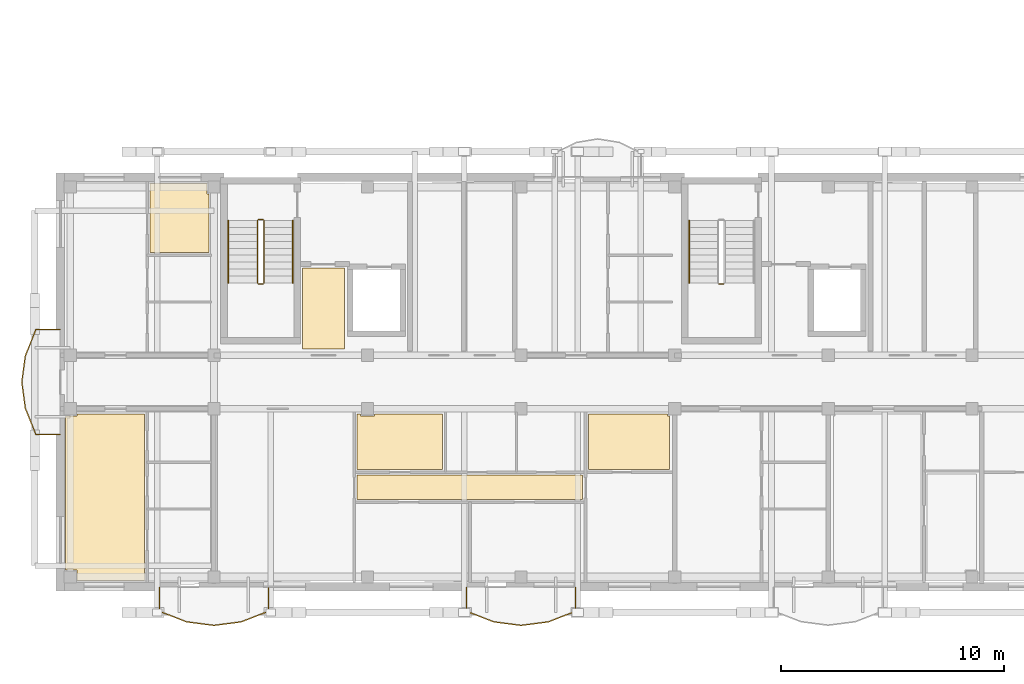
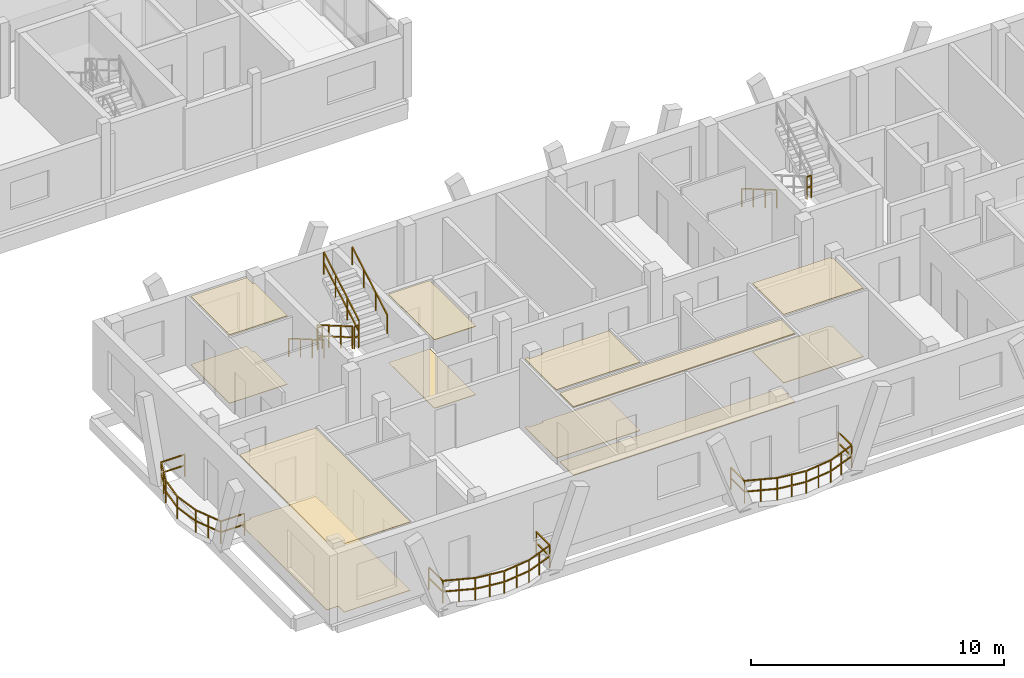
# One storey, part 169 of 189: 12 coverings, 11 railings.
"""IFC4 building model written with IfcOpenShell, lengths in metres."""

from ifc_helpers import new_model, si_unit, direction, frame, origin, origin_2d, place, context, subcontext, project, spatial, polyline, rectangle, outline, extrude, material, layer, layer_set, type_object, element, save


model = new_model("IFC4")

# Units and contexts
model_context = context("Model", 3, precision=1e-05, world=origin(), true_north=direction((0.0, 1.0)))
body_context = subcontext(model_context, "Body", "Model", "MODEL_VIEW")
ifc_project = project(units=[si_unit("LENGTHUNIT", "METRE"), si_unit("AREAUNIT", "SQUARE_METRE"), si_unit("VOLUMEUNIT", "CUBIC_METRE"), si_unit("PLANEANGLEUNIT", "RADIAN"), si_unit("MASSUNIT", "GRAM", prefix="KILO")], contexts=[model_context])

# Site, building, storey
site_placement = place(None, origin())
site = spatial("IfcSite", under=ifc_project, at=site_placement, CompositionType="ELEMENT")
building_placement = place(site_placement, origin())
building = spatial("IfcBuilding", under=site, at=building_placement, Name="Zavelmont Quarter", CompositionType="ELEMENT")
storey_placement = place(building_placement, frame((0.0, 0.0, 4.39990234375)))
storey = spatial("IfcBuildingStorey", under=building, at=storey_placement, Name="L01", CompositionType="ELEMENT", Elevation=4.39990234375)

# Coverings
ifc_material_1 = material(Name="Perforated acoustic gypsum board")
ifc_layer_1 = layer(ifc_material_1, 0.02490234375)
ifc_layer_set_1 = layer_set([ifc_layer_1], Name="Perforated acoustic gypsum board")
covering_type_1 = type_object("IfcCoveringType", Name="CV-CL01", PredefinedType="CEILING", material=ifc_layer_set_1)
covering_1_placement = place(storey_placement, frame((0.0, 0.0, 3.30517578125)))
element("IfcCovering", 1, at=covering_1_placement, inside=storey, type_object=covering_type_1, Name="L01 Lobby Vestibule acoustic ceiling", PredefinedType="CEILING", context=body_context, shape_type="SweptSolid", body=[
    extrude(outline(polyline([(10.8798828125, 14.320068359375), (12.77001953125, 14.320068359375), (12.77001953125, 10.679931640625), (10.8798828125, 10.679931640625), (10.8798828125, 14.320068359375)])), origin(), (0.0, 0.0, 1.0), 0.02490234375),
])
covering_2_placement = place(storey_placement, frame((0.0, 0.0, 3.30517578125)))
element("IfcCovering", 2, at=covering_2_placement, inside=storey, type_object=covering_type_1, Name="L01 Living Dining acoustic ceiling", PredefinedType="CEILING", context=body_context, shape_type="SweptSolid", body=[
    extrude(outline(polyline([(0.22998046875, 7.68505859375), (0.7548828125, 7.68505859375), (0.7548828125, 7.77001953125), (3.77001953125, 7.77001953125), (3.77001953125, 0.280029296875), (0.7548828125, 0.280029296875), (0.7548828125, 0.7548828125), (0.22998046875, 0.7548828125), (0.22998046875, 7.68505859375)])), origin(), (0.0, 0.0, 1.0), 0.02490234375),
])
covering_3_placement = place(storey_placement, frame((0.0, 0.0, 3.30517578125)))
element("IfcCovering", 3, at=covering_3_placement, inside=storey, type_object=covering_type_1, Name="L01 Kitchen acoustic ceiling", PredefinedType="CEILING", context=body_context, shape_type="SweptSolid", body=[
    extrude(outline(polyline([(13.330078125, 7.77001953125), (13.485107421875, 7.77001953125), (13.485107421875, 7.68505859375), (14.114990234375, 7.68505859375), (14.114990234375, 7.77001953125), (17.169921875, 7.77001953125), (17.169921875, 5.280029296875), (13.330078125, 5.280029296875), (13.330078125, 7.77001953125)])), origin(), (0.0, 0.0, 1.0), 0.02490234375),
])
covering_4_placement = place(storey_placement, frame((0.0, 0.0, 3.30517578125)))
element("IfcCovering", 4, at=covering_4_placement, inside=storey, type_object=covering_type_1, Name="L01 Single Bedroom acoustic ceiling", PredefinedType="CEILING", context=body_context, shape_type="SweptSolid", body=[
    extrude(outline(polyline([(4.030029296875, 18.1201171875), (6.5849609375, 18.1201171875), (6.5849609375, 17.64501953125), (6.669921875, 17.64501953125), (6.669921875, 15.030029296875), (4.030029296875, 15.030029296875), (4.030029296875, 18.1201171875)])), origin(), (0.0, 0.0, 1.0), 0.02490234375),
])
ifc_material_2 = material(Name="Slatted European ash acoustic baffle ceiling")
ifc_layer_2 = layer(ifc_material_2, 0.0400390625)
ifc_layer_set_2 = layer_set([ifc_layer_2], Name="Slatted European ash acoustic baffle ceiling")
covering_type_2 = type_object("IfcCoveringType", Name="CV-CL02", PredefinedType="CEILING", material=ifc_layer_set_2)
covering_5_placement = place(storey_placement, frame((0.0, 0.0, 3.2900390625)))
element("IfcCovering", 5, at=covering_5_placement, inside=storey, type_object=covering_type_2, Name="L01 Apartment Hall acoustic ceiling", PredefinedType="CEILING", context=body_context, shape_type="SweptSolid", body=[
    extrude(outline(polyline([(13.330078125, 5.02001953125), (23.469970703125, 5.02001953125), (23.469970703125, 3.929931640625), (13.330078125, 3.929931640625), (13.330078125, 5.02001953125)])), origin(), (0.0, 0.0, 1.0), 0.0400390625),
])
ifc_material_3 = material(Name="Moisture-resistant painted gypsum ceiling")
ifc_layer_3 = layer(ifc_material_3, 0.02001953125)
ifc_layer_set_3 = layer_set([ifc_layer_3], Name="Moisture-resistant painted gypsum ceiling")
covering_type_3 = type_object("IfcCoveringType", Name="CV-CL04", PredefinedType="CEILING", material=ifc_layer_set_3)
covering_6_placement = place(storey_placement, frame((0.0, 0.0, 3.31005859375)))
element("IfcCovering", 6, at=covering_6_placement, inside=storey, type_object=covering_type_3, Name="L01 Bathroom acoustic ceiling", PredefinedType="CEILING", context=body_context, shape_type="SweptSolid", body=[
    extrude(outline(polyline([(23.72998046875, 7.77001953125), (27.284912109375, 7.77001953125), (27.284912109375, 7.68505859375), (27.3701171875, 7.68505859375), (27.3701171875, 5.280029296875), (23.72998046875, 5.280029296875), (23.72998046875, 7.77001953125)])), origin(), (0.0, 0.0, 1.0), 0.02001953125),
])
ifc_material_4 = material(Name="Engineered European oak parquet")
ifc_layer_4 = layer(ifc_material_4, 0.02197265625)
ifc_layer_set_4 = layer_set([ifc_layer_4], Name="Engineered European oak parquet")
covering_type_4 = type_object("IfcCoveringType", Name="CV-FL01", PredefinedType="FLOORING", material=ifc_layer_set_4)
covering_7_placement = place(storey_placement, origin())
element("IfcCovering", 7, at=covering_7_placement, inside=storey, type_object=covering_type_4, Name="L01 Lobby Vestibule floor finish", PredefinedType="FLOORING", context=body_context, shape_type="SweptSolid", body=[
    extrude(outline(polyline([(10.8798828125, 14.320068359375), (12.77001953125, 14.320068359375), (12.77001953125, 10.679931640625), (10.8798828125, 10.679931640625), (10.8798828125, 14.320068359375)])), origin(), (0.0, 0.0, 1.0), 0.022216796875),
])
covering_8_placement = place(storey_placement, origin())
element("IfcCovering", 8, at=covering_8_placement, inside=storey, type_object=covering_type_4, Name="L01 Living Dining floor finish", PredefinedType="FLOORING", context=body_context, shape_type="SweptSolid", body=[
    extrude(outline(polyline([(0.22998046875, 7.68505859375), (0.7548828125, 7.68505859375), (0.7548828125, 7.77001953125), (3.77001953125, 7.77001953125), (3.77001953125, 0.280029296875), (0.7548828125, 0.280029296875), (0.7548828125, 0.7548828125), (0.22998046875, 0.7548828125), (0.22998046875, 7.68505859375)])), origin(), (0.0, 0.0, 1.0), 0.022216796875),
])
covering_9_placement = place(storey_placement, origin())
element("IfcCovering", 9, at=covering_9_placement, inside=storey, type_object=covering_type_4, Name="L01 Kitchen floor finish", PredefinedType="FLOORING", context=body_context, shape_type="SweptSolid", body=[
    extrude(outline(polyline([(13.330078125, 7.77001953125), (13.485107421875, 7.77001953125), (13.485107421875, 7.68505859375), (14.114990234375, 7.68505859375), (14.114990234375, 7.77001953125), (17.169921875, 7.77001953125), (17.169921875, 5.280029296875), (13.330078125, 5.280029296875), (13.330078125, 7.77001953125)])), origin(), (0.0, 0.0, 1.0), 0.022216796875),
])
covering_10_placement = place(storey_placement, origin())
element("IfcCovering", 10, at=covering_10_placement, inside=storey, type_object=covering_type_4, Name="L01 Single Bedroom floor finish", PredefinedType="FLOORING", context=body_context, shape_type="SweptSolid", body=[
    extrude(outline(polyline([(4.030029296875, 18.1201171875), (6.5849609375, 18.1201171875), (6.5849609375, 17.64501953125), (6.669921875, 17.64501953125), (6.669921875, 15.030029296875), (4.030029296875, 15.030029296875), (4.030029296875, 18.1201171875)])), origin(), (0.0, 0.0, 1.0), 0.022216796875),
])
ifc_material_5 = material(Name="Honed Belgian bluestone tile", Category="masonry")
ifc_layer_5 = layer(ifc_material_5, 0.030029296875)
ifc_layer_set_5 = layer_set([ifc_layer_5], Name="Honed Belgian bluestone tile")
covering_type_5 = type_object("IfcCoveringType", Name="CV-FL02", PredefinedType="FLOORING", material=ifc_layer_set_5)
covering_11_placement = place(storey_placement, origin())
element("IfcCovering", 11, at=covering_11_placement, inside=storey, type_object=covering_type_5, Name="L01 Apartment Hall floor finish", PredefinedType="FLOORING", context=body_context, shape_type="SweptSolid", body=[
    extrude(outline(polyline([(13.330078125, 5.02001953125), (23.469970703125, 5.02001953125), (23.469970703125, 3.929931640625), (13.330078125, 3.929931640625), (13.330078125, 5.02001953125)])), origin(), (0.0, 0.0, 1.0), 0.030029296875),
])
ifc_material_6 = material(Name="Slip-resistant porcelain tile")
ifc_layer_6 = layer(ifc_material_6, 0.02587890625)
ifc_layer_set_6 = layer_set([ifc_layer_6], Name="Slip-resistant porcelain tile")
covering_type_6 = type_object("IfcCoveringType", Name="CV-FL04", PredefinedType="FLOORING", material=ifc_layer_set_6)
covering_12_placement = place(storey_placement, origin())
element("IfcCovering", 12, at=covering_12_placement, inside=storey, type_object=covering_type_6, Name="L01 Bathroom floor finish", PredefinedType="FLOORING", context=body_context, shape_type="SweptSolid", body=[
    extrude(outline(polyline([(23.72998046875, 7.77001953125), (27.284912109375, 7.77001953125), (27.284912109375, 7.68505859375), (27.3701171875, 7.68505859375), (27.3701171875, 5.280029296875), (23.72998046875, 5.280029296875), (23.72998046875, 7.77001953125)])), origin(), (0.0, 0.0, 1.0), 0.026123046875),
])

# Railings
ifc_material_7 = material(Name="Powder-coated steel and tempered double safety glass", Category="steel")
railing_type_1 = type_object("IfcRailingType", Name="RL-BAL1", PredefinedType="BALUSTRADE", material=ifc_material_7)
railing_1_placement = place(storey_placement, frame((4.450439453125, -0.02001953125, 0.0)))
element("IfcRailing", 13, at=railing_1_placement, inside=storey, type_object=railing_type_1, Name="L01 Block A curved balcony guard RL-BAL1", PredefinedType="BALUSTRADE", context=body_context, shape_type="SweptSolid", body=[
    extrude(rectangle(XDim=0.048095703125, YDim=0.048095703125, at=origin_2d()), frame((0.0, 0.0, 1.076171875), z_axis=(0.0, -1.0, 0.0), x_axis=(1.0, 0.0, 0.0)), (0.0, 0.0, 1.0), 1.080078125),
    extrude(rectangle(XDim=0.048095703125, YDim=0.048095703125, at=origin_2d()), frame((0.0, 0.0, 0.550048828125), z_axis=(0.0, -1.0, 0.0), x_axis=(1.0, 0.0, 0.0)), (0.0, 0.0, 1.0), 1.080078125),
    extrude(rectangle(XDim=0.048095703125, YDim=0.048095703125, at=origin_2d()), frame((0.0, -1.080078125, 1.076171875), z_axis=(0.932008157799, -0.362437296365, 0.0), x_axis=(0.362437296365, 0.932008157799, 0.0)), (0.0, 0.0, 1.0), 1.314208984375),
    extrude(rectangle(XDim=0.048095703125, YDim=0.048095703125, at=origin_2d()), frame((0.0, -1.080078125, 0.550048828125), z_axis=(0.932008157799, -0.362437296365, 0.0), x_axis=(0.362437296365, 0.932008157799, 0.0)), (0.0, 0.0, 1.0), 1.314208984375),
    extrude(rectangle(XDim=0.048095703125, YDim=0.048095703125, at=origin_2d()), frame((1.224853515625, -1.556396484375, 1.076171875), z_axis=(0.991708106919, -0.128510819278, 0.0), x_axis=(0.128510819278, 0.991708106919, 0.0)), (0.0, 0.0, 1.0), 1.23486328125),
    extrude(rectangle(XDim=0.048095703125, YDim=0.048095703125, at=origin_2d()), frame((1.224853515625, -1.556396484375, 0.550048828125), z_axis=(0.991708106919, -0.128510819278, 0.0), x_axis=(0.128510819278, 0.991708106919, 0.0)), (0.0, 0.0, 1.0), 1.23486328125),
    extrude(rectangle(XDim=0.048095703125, YDim=0.048095703125, at=origin_2d()), frame((2.449462890625, -1.715087890625, 1.076171875), z_axis=(0.991711371128, 0.128485627114, 0.0), x_axis=(-0.128485627114, 0.991711371128, 0.0)), (0.0, 0.0, 1.0), 1.235107421875),
    extrude(rectangle(XDim=0.048095703125, YDim=0.048095703125, at=origin_2d()), frame((2.449462890625, -1.715087890625, 0.550048828125), z_axis=(0.991711371128, 0.128485627114, 0.0), x_axis=(-0.128485627114, 0.991711371128, 0.0)), (0.0, 0.0, 1.0), 1.235107421875),
    extrude(rectangle(XDim=0.048095703125, YDim=0.048095703125, at=origin_2d()), frame((3.67431640625, -1.556396484375, 1.076171875), z_axis=(0.932008157799, 0.362437296365, 0.0), x_axis=(-0.362437296365, 0.932008157799, 0.0)), (0.0, 0.0, 1.0), 1.314208984375),
    extrude(rectangle(XDim=0.048095703125, YDim=0.048095703125, at=origin_2d()), frame((3.67431640625, -1.556396484375, 0.550048828125), z_axis=(0.932008157799, 0.362437296365, 0.0), x_axis=(-0.362437296365, 0.932008157799, 0.0)), (0.0, 0.0, 1.0), 1.314208984375),
    extrude(rectangle(XDim=0.048095703125, YDim=0.048095703125, at=origin_2d()), frame((4.899169921875, -1.080078125, 1.076171875), z_axis=(0.0, 1.0, 0.0), x_axis=(-1.0, 0.0, 0.0)), (0.0, 0.0, 1.0), 1.080078125),
    extrude(rectangle(XDim=0.048095703125, YDim=0.048095703125, at=origin_2d()), frame((4.899169921875, -1.080078125, 0.550048828125), z_axis=(0.0, 1.0, 0.0), x_axis=(-1.0, 0.0, 0.0)), (0.0, 0.0, 1.0), 1.080078125),
    extrude(rectangle(XDim=0.0419921875, YDim=0.0419921875, at=origin_2d()), origin(), (0.0, 0.0, 1.0), 1.052001953125),
    extrude(rectangle(XDim=0.0419921875, YDim=0.0419921875, at=origin_2d()), frame((0.0, -1.080078125, 0.0)), (0.0, 0.0, 1.0), 1.052001953125),
    extrude(rectangle(XDim=0.0419921875, YDim=0.0419921875, at=origin_2d()), frame((0.6123046875, -1.318359375, 0.0)), (0.0, 0.0, 1.0), 1.052001953125),
    extrude(rectangle(XDim=0.0419921875, YDim=0.0419921875, at=origin_2d()), frame((1.224853515625, -1.556396484375, 0.0)), (0.0, 0.0, 1.0), 1.052001953125),
    extrude(rectangle(XDim=0.0419921875, YDim=0.0419921875, at=origin_2d()), frame((1.837158203125, -1.6357421875, 0.0)), (0.0, 0.0, 1.0), 1.052001953125),
    extrude(rectangle(XDim=0.0419921875, YDim=0.0419921875, at=origin_2d()), frame((2.449462890625, -1.715087890625, 0.0)), (0.0, 0.0, 1.0), 1.052001953125),
    extrude(rectangle(XDim=0.0419921875, YDim=0.0419921875, at=origin_2d()), frame((3.06201171875, -1.6357421875, 0.0)), (0.0, 0.0, 1.0), 1.052001953125),
    extrude(rectangle(XDim=0.0419921875, YDim=0.0419921875, at=origin_2d()), frame((3.67431640625, -1.556396484375, 0.0)), (0.0, 0.0, 1.0), 1.052001953125),
    extrude(rectangle(XDim=0.0419921875, YDim=0.0419921875, at=origin_2d()), frame((4.28662109375, -1.318359375, 0.0)), (0.0, 0.0, 1.0), 1.052001953125),
    extrude(rectangle(XDim=0.0419921875, YDim=0.0419921875, at=origin_2d()), frame((4.899169921875, -1.080078125, 0.0)), (0.0, 0.0, 1.0), 1.052001953125),
    extrude(rectangle(XDim=0.0419921875, YDim=0.0419921875, at=origin_2d()), frame((4.899169921875, 0.0, 0.0)), (0.0, 0.0, 1.0), 1.052001953125),
])
railing_2_placement = place(storey_placement, frame((18.25048828125, -0.02001953125, 0.0)))
element("IfcRailing", 14, at=railing_2_placement, inside=storey, type_object=railing_type_1, Name="L01 Block A curved balcony guard RL-BAL1", PredefinedType="BALUSTRADE", context=body_context, shape_type="SweptSolid", body=[
    extrude(rectangle(XDim=0.048095703125, YDim=0.048095703125, at=origin_2d()), frame((0.0, 0.0, 1.076171875), z_axis=(0.0, -1.0, 0.0), x_axis=(1.0, 0.0, 0.0)), (0.0, 0.0, 1.0), 1.080078125),
    extrude(rectangle(XDim=0.048095703125, YDim=0.048095703125, at=origin_2d()), frame((0.0, 0.0, 0.550048828125), z_axis=(0.0, -1.0, 0.0), x_axis=(1.0, 0.0, 0.0)), (0.0, 0.0, 1.0), 1.080078125),
    extrude(rectangle(XDim=0.048095703125, YDim=0.048095703125, at=origin_2d()), frame((0.0, -1.080078125, 1.076171875), z_axis=(0.931983748563, -0.362500058502, 0.0), x_axis=(0.362500058502, 0.931983748563, 0.0)), (0.0, 0.0, 1.0), 1.31396484375),
    extrude(rectangle(XDim=0.048095703125, YDim=0.048095703125, at=origin_2d()), frame((0.0, -1.080078125, 0.550048828125), z_axis=(0.931983748563, -0.362500058502, 0.0), x_axis=(0.362500058502, 0.931983748563, 0.0)), (0.0, 0.0, 1.0), 1.31396484375),
    extrude(rectangle(XDim=0.048095703125, YDim=0.048095703125, at=origin_2d()), frame((1.224609375, -1.556396484375, 1.076171875), z_axis=(0.991711371128, -0.128485627114, 0.0), x_axis=(0.128485627114, 0.991711371128, 0.0)), (0.0, 0.0, 1.0), 1.235107421875),
    extrude(rectangle(XDim=0.048095703125, YDim=0.048095703125, at=origin_2d()), frame((1.224609375, -1.556396484375, 0.550048828125), z_axis=(0.991711371128, -0.128485627114, 0.0), x_axis=(0.128485627114, 0.991711371128, 0.0)), (0.0, 0.0, 1.0), 1.235107421875),
    extrude(rectangle(XDim=0.048095703125, YDim=0.048095703125, at=origin_2d()), frame((2.449462890625, -1.715087890625, 1.076171875), z_axis=(0.991711371128, 0.128485627114, 0.0), x_axis=(-0.128485627114, 0.991711371128, 0.0)), (0.0, 0.0, 1.0), 1.235107421875),
    extrude(rectangle(XDim=0.048095703125, YDim=0.048095703125, at=origin_2d()), frame((2.449462890625, -1.715087890625, 0.550048828125), z_axis=(0.991711371128, 0.128485627114, 0.0), x_axis=(-0.128485627114, 0.991711371128, 0.0)), (0.0, 0.0, 1.0), 1.235107421875),
    extrude(rectangle(XDim=0.048095703125, YDim=0.048095703125, at=origin_2d()), frame((3.67431640625, -1.556396484375, 1.076171875), z_axis=(0.932008157799, 0.362437296365, 0.0), x_axis=(-0.362437296365, 0.932008157799, 0.0)), (0.0, 0.0, 1.0), 1.314208984375),
    extrude(rectangle(XDim=0.048095703125, YDim=0.048095703125, at=origin_2d()), frame((3.67431640625, -1.556396484375, 0.550048828125), z_axis=(0.932008157799, 0.362437296365, 0.0), x_axis=(-0.362437296365, 0.932008157799, 0.0)), (0.0, 0.0, 1.0), 1.314208984375),
    extrude(rectangle(XDim=0.048095703125, YDim=0.048095703125, at=origin_2d()), frame((4.899169921875, -1.080078125, 1.076171875), z_axis=(0.0, 1.0, 0.0), x_axis=(-1.0, 0.0, 0.0)), (0.0, 0.0, 1.0), 1.080078125),
    extrude(rectangle(XDim=0.048095703125, YDim=0.048095703125, at=origin_2d()), frame((4.899169921875, -1.080078125, 0.550048828125), z_axis=(0.0, 1.0, 0.0), x_axis=(-1.0, 0.0, 0.0)), (0.0, 0.0, 1.0), 1.080078125),
    extrude(rectangle(XDim=0.0419921875, YDim=0.0419921875, at=origin_2d()), origin(), (0.0, 0.0, 1.0), 1.052001953125),
    extrude(rectangle(XDim=0.0419921875, YDim=0.0419921875, at=origin_2d()), frame((0.0, -1.080078125, 0.0)), (0.0, 0.0, 1.0), 1.052001953125),
    extrude(rectangle(XDim=0.0419921875, YDim=0.0419921875, at=origin_2d()), frame((0.6123046875, -1.318359375, 0.0)), (0.0, 0.0, 1.0), 1.052001953125),
    extrude(rectangle(XDim=0.0419921875, YDim=0.0419921875, at=origin_2d()), frame((1.224609375, -1.556396484375, 0.0)), (0.0, 0.0, 1.0), 1.052001953125),
    extrude(rectangle(XDim=0.0419921875, YDim=0.0419921875, at=origin_2d()), frame((1.8369140625, -1.6357421875, 0.0)), (0.0, 0.0, 1.0), 1.052001953125),
    extrude(rectangle(XDim=0.0419921875, YDim=0.0419921875, at=origin_2d()), frame((2.449462890625, -1.715087890625, 0.0)), (0.0, 0.0, 1.0), 1.052001953125),
    extrude(rectangle(XDim=0.0419921875, YDim=0.0419921875, at=origin_2d()), frame((3.06201171875, -1.6357421875, 0.0)), (0.0, 0.0, 1.0), 1.052001953125),
    extrude(rectangle(XDim=0.0419921875, YDim=0.0419921875, at=origin_2d()), frame((3.67431640625, -1.556396484375, 0.0)), (0.0, 0.0, 1.0), 1.052001953125),
    extrude(rectangle(XDim=0.0419921875, YDim=0.0419921875, at=origin_2d()), frame((4.28662109375, -1.318359375, 0.0)), (0.0, 0.0, 1.0), 1.052001953125),
    extrude(rectangle(XDim=0.0419921875, YDim=0.0419921875, at=origin_2d()), frame((4.899169921875, -1.080078125, 0.0)), (0.0, 0.0, 1.0), 1.052001953125),
    extrude(rectangle(XDim=0.0419921875, YDim=0.0419921875, at=origin_2d()), frame((4.899169921875, 0.0, 0.0)), (0.0, 0.0, 1.0), 1.052001953125),
])
railing_3_placement = place(storey_placement, frame((-0.02001953125, 11.55908203125, 0.0)))
element("IfcRailing", 15, at=railing_3_placement, inside=storey, type_object=railing_type_1, Name="L01 Block A curved balcony guard RL-BAL1", PredefinedType="BALUSTRADE", context=body_context, shape_type="SweptSolid", body=[
    extrude(rectangle(XDim=0.048095703125, YDim=0.048095703125, at=origin_2d()), frame((0.0, 0.0, 1.076171875), z_axis=(-1.0, 0.0, 0.0), x_axis=(0.0, -1.0, 0.0)), (0.0, 0.0, 1.0), 1.080078125),
    extrude(rectangle(XDim=0.048095703125, YDim=0.048095703125, at=origin_2d()), frame((0.0, 0.0, 0.550048828125), z_axis=(-1.0, 0.0, 0.0), x_axis=(0.0, -1.0, 0.0)), (0.0, 0.0, 1.0), 1.080078125),
    extrude(rectangle(XDim=0.048095703125, YDim=0.048095703125, at=origin_2d()), frame((-1.080078125, 0.0, 1.076171875), z_axis=(-0.374399590081, -0.927267462466, 0.0), x_axis=(0.927267462466, -0.374399590081, 0.0)), (0.0, 0.0, 1.0), 1.272216796875),
    extrude(rectangle(XDim=0.048095703125, YDim=0.048095703125, at=origin_2d()), frame((-1.080078125, 0.0, 0.550048828125), z_axis=(-0.374399590081, -0.927267462466, 0.0), x_axis=(0.927267462466, -0.374399590081, 0.0)), (0.0, 0.0, 1.0), 1.272216796875),
    extrude(rectangle(XDim=0.048095703125, YDim=0.048095703125, at=origin_2d()), frame((-1.556396484375, -1.1796875, 1.076171875), z_axis=(-0.133346137983, -0.991069527069, 0.0), x_axis=(0.991069527069, -0.133346137983, 0.0)), (0.0, 0.0, 1.0), 1.190185546875),
    extrude(rectangle(XDim=0.048095703125, YDim=0.048095703125, at=origin_2d()), frame((-1.556396484375, -1.1796875, 0.550048828125), z_axis=(-0.133346137983, -0.991069527069, 0.0), x_axis=(0.991069527069, -0.133346137983, 0.0)), (0.0, 0.0, 1.0), 1.190185546875),
    extrude(rectangle(XDim=0.048095703125, YDim=0.048095703125, at=origin_2d()), frame((-1.715087890625, -2.359130859375, 1.076171875), z_axis=(0.133346137983, -0.991069527069, 0.0), x_axis=(0.991069527069, 0.133346137983, 0.0)), (0.0, 0.0, 1.0), 1.190185546875),
    extrude(rectangle(XDim=0.048095703125, YDim=0.048095703125, at=origin_2d()), frame((-1.715087890625, -2.359130859375, 0.550048828125), z_axis=(0.133346137983, -0.991069527069, 0.0), x_axis=(0.991069527069, 0.133346137983, 0.0)), (0.0, 0.0, 1.0), 1.190185546875),
    extrude(rectangle(XDim=0.048095703125, YDim=0.048095703125, at=origin_2d()), frame((-1.556396484375, -3.53857421875, 1.076171875), z_axis=(0.374466223096, -0.927240555498, 0.0), x_axis=(0.927240555498, 0.374466223096, 0.0)), (0.0, 0.0, 1.0), 1.27197265625),
    extrude(rectangle(XDim=0.048095703125, YDim=0.048095703125, at=origin_2d()), frame((-1.556396484375, -3.53857421875, 0.550048828125), z_axis=(0.374466223096, -0.927240555498, 0.0), x_axis=(0.927240555498, 0.374466223096, 0.0)), (0.0, 0.0, 1.0), 1.27197265625),
    extrude(rectangle(XDim=0.048095703125, YDim=0.048095703125, at=origin_2d()), frame((-1.080078125, -4.718017578125, 1.076171875), z_axis=(1.0, 0.0, 0.0), x_axis=(0.0, 1.0, 0.0)), (0.0, 0.0, 1.0), 1.080078125),
    extrude(rectangle(XDim=0.048095703125, YDim=0.048095703125, at=origin_2d()), frame((-1.080078125, -4.718017578125, 0.550048828125), z_axis=(1.0, 0.0, 0.0), x_axis=(0.0, 1.0, 0.0)), (0.0, 0.0, 1.0), 1.080078125),
    extrude(rectangle(XDim=0.0419921875, YDim=0.0419921875, at=origin_2d()), origin(), (0.0, 0.0, 1.0), 1.052001953125),
    extrude(rectangle(XDim=0.0419921875, YDim=0.0419921875, at=origin_2d()), frame((-1.080078125, 0.0, 0.0)), (0.0, 0.0, 1.0), 1.052001953125),
    extrude(rectangle(XDim=0.0419921875, YDim=0.0419921875, at=origin_2d()), frame((-1.318359375, -0.58984375, 0.0)), (0.0, 0.0, 1.0), 1.052001953125),
    extrude(rectangle(XDim=0.0419921875, YDim=0.0419921875, at=origin_2d()), frame((-1.556396484375, -1.1796875, 0.0)), (0.0, 0.0, 1.0), 1.052001953125),
    extrude(rectangle(XDim=0.0419921875, YDim=0.0419921875, at=origin_2d()), frame((-1.715087890625, -2.359130859375, 0.0)), (0.0, 0.0, 1.0), 1.052001953125),
    extrude(rectangle(XDim=0.0419921875, YDim=0.0419921875, at=origin_2d()), frame((-1.556396484375, -3.53857421875, 0.0)), (0.0, 0.0, 1.0), 1.052001953125),
    extrude(rectangle(XDim=0.0419921875, YDim=0.0419921875, at=origin_2d()), frame((-1.318359375, -4.12841796875, 0.0)), (0.0, 0.0, 1.0), 1.052001953125),
    extrude(rectangle(XDim=0.0419921875, YDim=0.0419921875, at=origin_2d()), frame((-1.080078125, -4.718017578125, 0.0)), (0.0, 0.0, 1.0), 1.052001953125),
    extrude(rectangle(XDim=0.0419921875, YDim=0.0419921875, at=origin_2d()), frame((0.0, -4.718017578125, 0.0)), (0.0, 0.0, 1.0), 1.052001953125),
])
ifc_material_8 = material(Name="Powder-coated steel stair guardrail", Category="steel")
railing_type_2 = type_object("IfcRailingType", Name="RL-GRD1", PredefinedType="GUARDRAIL", material=ifc_material_8)
railing_4_placement = place(storey_placement, frame((8.85009765625, 16.449951171875, 0.18017578125)))
element("IfcRailing", 16, at=railing_4_placement, inside=storey, type_object=railing_type_2, Name="L01 ST01 stair guardrail 1", PredefinedType="GUARDRAIL", context=body_context, shape_type="SweptSolid", body=[
    extrude(rectangle(XDim=0.048095703125, YDim=0.048095703125, at=origin_2d()), frame((0.0, 0.0, 1.076171875), z_axis=(0.0, -0.864809086542, 0.502100830347), x_axis=(1.0, 0.0, 0.0)), (0.0, 0.0, 1.0), 3.22607421875),
    extrude(rectangle(XDim=0.048095703125, YDim=0.048095703125, at=origin_2d()), frame((0.0, 0.0, 0.550048828125), z_axis=(0.0, -0.864809086542, 0.502100830347), x_axis=(1.0, 0.0, 0.0)), (0.0, 0.0, 1.0), 3.22607421875),
    extrude(rectangle(XDim=0.0419921875, YDim=0.0419921875, at=origin_2d()), origin(), (0.0, 0.0, 1.0), 1.052001953125),
    extrude(rectangle(XDim=0.0419921875, YDim=0.0419921875, at=origin_2d()), frame((0.0, -0.929931640625, 0.5400390625)), (0.0, 0.0, 1.0), 1.052001953125),
    extrude(rectangle(XDim=0.0419921875, YDim=0.0419921875, at=origin_2d()), frame((0.0, -1.860107421875, 1.079833984375)), (0.0, 0.0, 1.0), 1.052001953125),
    extrude(rectangle(XDim=0.0419921875, YDim=0.0419921875, at=origin_2d()), frame((0.0, -2.7900390625, 1.619873046875)), (0.0, 0.0, 1.0), 1.052001953125),
])
railing_5_placement = place(storey_placement, frame((8.89990234375, 13.610107421875, 1.800048828125)))
element("IfcRailing", 17, at=railing_5_placement, inside=storey, type_object=railing_type_2, Name="L01 ST01 stair guardrail 2", PredefinedType="GUARDRAIL", context=body_context, shape_type="SweptSolid", body=[
    extrude(rectangle(XDim=0.048095703125, YDim=0.048095703125, at=origin_2d()), frame((0.0, 0.0, 1.076171875), z_axis=(1.0, 0.0, 0.0), x_axis=(0.0, 1.0, 0.0)), (0.0, 0.0, 1.0), 0.2001953125),
    extrude(rectangle(XDim=0.048095703125, YDim=0.048095703125, at=origin_2d()), frame((0.0, 0.0, 0.550048828125), z_axis=(1.0, 0.0, 0.0), x_axis=(0.0, 1.0, 0.0)), (0.0, 0.0, 1.0), 0.2001953125),
    extrude(rectangle(XDim=0.0419921875, YDim=0.0419921875, at=origin_2d()), origin(), (0.0, 0.0, 1.0), 1.052001953125),
    extrude(rectangle(XDim=0.0419921875, YDim=0.0419921875, at=origin_2d()), frame((0.2001953125, 0.0, 0.0)), (0.0, 0.0, 1.0), 1.052001953125),
])
railing_6_placement = place(storey_placement, frame((9.14990234375, 13.659912109375, 1.97998046875)))
element("IfcRailing", 18, at=railing_6_placement, inside=storey, type_object=railing_type_2, Name="L01 ST01 stair guardrail 3", PredefinedType="GUARDRAIL", context=body_context, shape_type="SweptSolid", body=[
    extrude(rectangle(XDim=0.048095703125, YDim=0.048095703125, at=origin_2d()), frame((0.0, 0.0, 1.076171875), z_axis=(0.0, 0.86477622642, 0.502157423742), x_axis=(-1.0, 0.0, 0.0)), (0.0, 0.0, 1.0), 3.226318359375),
    extrude(rectangle(XDim=0.048095703125, YDim=0.048095703125, at=origin_2d()), frame((0.0, 0.0, 0.550048828125), z_axis=(0.0, 0.86477622642, 0.502157423742), x_axis=(-1.0, 0.0, 0.0)), (0.0, 0.0, 1.0), 3.226318359375),
    extrude(rectangle(XDim=0.0419921875, YDim=0.0419921875, at=origin_2d()), origin(), (0.0, 0.0, 1.0), 1.052001953125),
    extrude(rectangle(XDim=0.0419921875, YDim=0.0419921875, at=origin_2d()), frame((0.0, 0.929931640625, 0.5400390625)), (0.0, 0.0, 1.0), 1.052001953125),
    extrude(rectangle(XDim=0.0419921875, YDim=0.0419921875, at=origin_2d()), frame((0.0, 1.860107421875, 1.080078125)), (0.0, 0.0, 1.0), 1.052001953125),
    extrude(rectangle(XDim=0.0419921875, YDim=0.0419921875, at=origin_2d()), frame((0.0, 2.7900390625, 1.6201171875)), (0.0, 0.0, 1.0), 1.052001953125),
])
railing_7_placement = place(storey_placement, frame((8.89990234375, 16.5, 0.0)))
element("IfcRailing", 19, at=railing_7_placement, inside=storey, type_object=railing_type_2, Name="L01 ST01 stair guardrail 4", PredefinedType="GUARDRAIL", context=body_context, shape_type="SweptSolid", body=[
    extrude(rectangle(XDim=0.048095703125, YDim=0.048095703125, at=origin_2d()), frame((0.0, 0.0, 1.076171875), z_axis=(1.0, 0.0, 0.0), x_axis=(0.0, 1.0, 0.0)), (0.0, 0.0, 1.0), 0.2001953125),
    extrude(rectangle(XDim=0.048095703125, YDim=0.048095703125, at=origin_2d()), frame((0.0, 0.0, 0.550048828125), z_axis=(1.0, 0.0, 0.0), x_axis=(0.0, 1.0, 0.0)), (0.0, 0.0, 1.0), 0.2001953125),
    extrude(rectangle(XDim=0.0419921875, YDim=0.0419921875, at=origin_2d()), origin(), (0.0, 0.0, 1.0), 1.052001953125),
    extrude(rectangle(XDim=0.0419921875, YDim=0.0419921875, at=origin_2d()), frame((0.2001953125, 0.0, 0.0)), (0.0, 0.0, 1.0), 1.052001953125),
])
railing_8_placement = place(storey_placement, frame((29.60009765625, 13.610107421875, 1.800048828125)))
element("IfcRailing", 20, at=railing_8_placement, inside=storey, type_object=railing_type_2, Name="L01 ST02 stair guardrail 2", PredefinedType="GUARDRAIL", context=body_context, shape_type="SweptSolid", body=[
    extrude(rectangle(XDim=0.048095703125, YDim=0.048095703125, at=origin_2d()), frame((0.0, 0.0, 1.076171875), z_axis=(1.0, 0.0, 0.0), x_axis=(0.0, 1.0, 0.0)), (0.0, 0.0, 1.0), 0.199951171875),
    extrude(rectangle(XDim=0.048095703125, YDim=0.048095703125, at=origin_2d()), frame((0.0, 0.0, 0.550048828125), z_axis=(1.0, 0.0, 0.0), x_axis=(0.0, 1.0, 0.0)), (0.0, 0.0, 1.0), 0.199951171875),
    extrude(rectangle(XDim=0.0419921875, YDim=0.0419921875, at=origin_2d()), origin(), (0.0, 0.0, 1.0), 1.052001953125),
    extrude(rectangle(XDim=0.0419921875, YDim=0.0419921875, at=origin_2d()), frame((0.199951171875, 0.0, 0.0)), (0.0, 0.0, 1.0), 1.052001953125),
])
ifc_material_9 = material(Name="Brushed stainless-steel wall handrail", Category="steel")
railing_type_3 = type_object("IfcRailingType", Name="RL-HND1", PredefinedType="HANDRAIL", material=ifc_material_9)
railing_9_placement = place(storey_placement, frame((7.550048828125, 16.449951171875, 0.18017578125)))
element("IfcRailing", 21, at=railing_9_placement, inside=storey, type_object=railing_type_3, Name="L01 ST01 stair handrail 1", PredefinedType="HANDRAIL", context=body_context, shape_type="SweptSolid", body=[
    extrude(rectangle(XDim=0.048095703125, YDim=0.048095703125, at=origin_2d()), frame((0.0, 0.0, 0.8759765625), z_axis=(0.0, -0.864809086542, 0.502100830347), x_axis=(1.0, 0.0, 0.0)), (0.0, 0.0, 1.0), 3.22607421875),
    extrude(rectangle(XDim=0.0419921875, YDim=0.0419921875, at=origin_2d()), origin(), (0.0, 0.0, 1.0), 0.851806640625),
    extrude(rectangle(XDim=0.0419921875, YDim=0.0419921875, at=origin_2d()), frame((0.0, -0.929931640625, 0.5400390625)), (0.0, 0.0, 1.0), 0.851806640625),
    extrude(rectangle(XDim=0.0419921875, YDim=0.0419921875, at=origin_2d()), frame((0.0, -1.860107421875, 1.079833984375)), (0.0, 0.0, 1.0), 0.851806640625),
    extrude(rectangle(XDim=0.0419921875, YDim=0.0419921875, at=origin_2d()), frame((0.0, -2.7900390625, 1.619873046875)), (0.0, 0.0, 1.0), 0.851806640625),
])
railing_10_placement = place(storey_placement, frame((10.449951171875, 13.659912109375, 1.97998046875)))
element("IfcRailing", 22, at=railing_10_placement, inside=storey, type_object=railing_type_3, Name="L01 ST01 stair handrail 2", PredefinedType="HANDRAIL", context=body_context, shape_type="SweptSolid", body=[
    extrude(rectangle(XDim=0.048095703125, YDim=0.048095703125, at=origin_2d()), frame((0.0, 0.0, 0.8759765625), z_axis=(0.0, 0.86477622642, 0.502157423742), x_axis=(-1.0, 0.0, 0.0)), (0.0, 0.0, 1.0), 3.226318359375),
    extrude(rectangle(XDim=0.0419921875, YDim=0.0419921875, at=origin_2d()), origin(), (0.0, 0.0, 1.0), 0.851806640625),
    extrude(rectangle(XDim=0.0419921875, YDim=0.0419921875, at=origin_2d()), frame((0.0, 0.929931640625, 0.5400390625)), (0.0, 0.0, 1.0), 0.851806640625),
    extrude(rectangle(XDim=0.0419921875, YDim=0.0419921875, at=origin_2d()), frame((0.0, 1.860107421875, 1.080078125)), (0.0, 0.0, 1.0), 0.851806640625),
    extrude(rectangle(XDim=0.0419921875, YDim=0.0419921875, at=origin_2d()), frame((0.0, 2.7900390625, 1.6201171875)), (0.0, 0.0, 1.0), 0.851806640625),
])
railing_11_placement = place(storey_placement, frame((28.25, 16.449951171875, 0.18017578125)))
element("IfcRailing", 23, at=railing_11_placement, inside=storey, type_object=railing_type_3, Name="L01 ST02 stair handrail 1", PredefinedType="HANDRAIL", context=body_context, shape_type="SweptSolid", body=[
    extrude(rectangle(XDim=0.048095703125, YDim=0.048095703125, at=origin_2d()), frame((0.0, 0.0, 0.8759765625), z_axis=(0.0, -0.864809086542, 0.502100830347), x_axis=(1.0, 0.0, 0.0)), (0.0, 0.0, 1.0), 3.22607421875),
    extrude(rectangle(XDim=0.0419921875, YDim=0.0419921875, at=origin_2d()), origin(), (0.0, 0.0, 1.0), 0.851806640625),
    extrude(rectangle(XDim=0.0419921875, YDim=0.0419921875, at=origin_2d()), frame((0.0, -0.929931640625, 0.5400390625)), (0.0, 0.0, 1.0), 0.851806640625),
    extrude(rectangle(XDim=0.0419921875, YDim=0.0419921875, at=origin_2d()), frame((0.0, -1.860107421875, 1.079833984375)), (0.0, 0.0, 1.0), 0.851806640625),
    extrude(rectangle(XDim=0.0419921875, YDim=0.0419921875, at=origin_2d()), frame((0.0, -2.7900390625, 1.619873046875)), (0.0, 0.0, 1.0), 0.851806640625),
])

save(model, "model.ifc")
